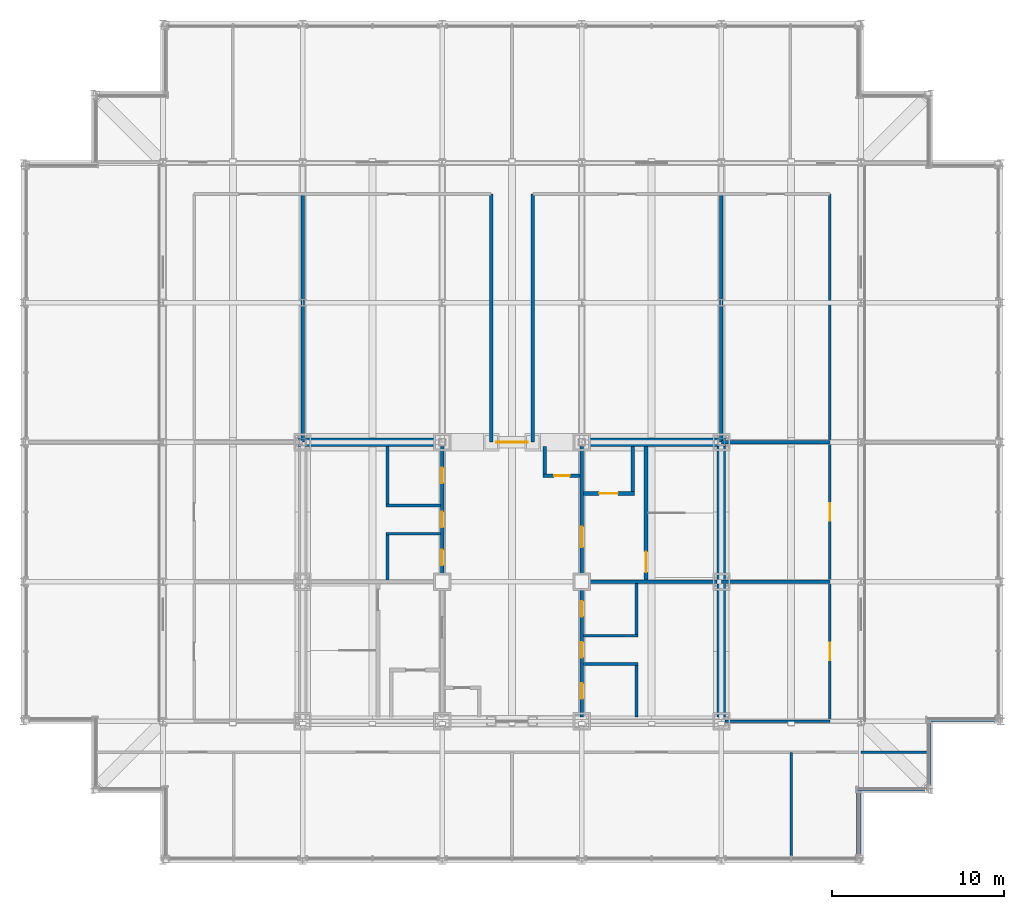
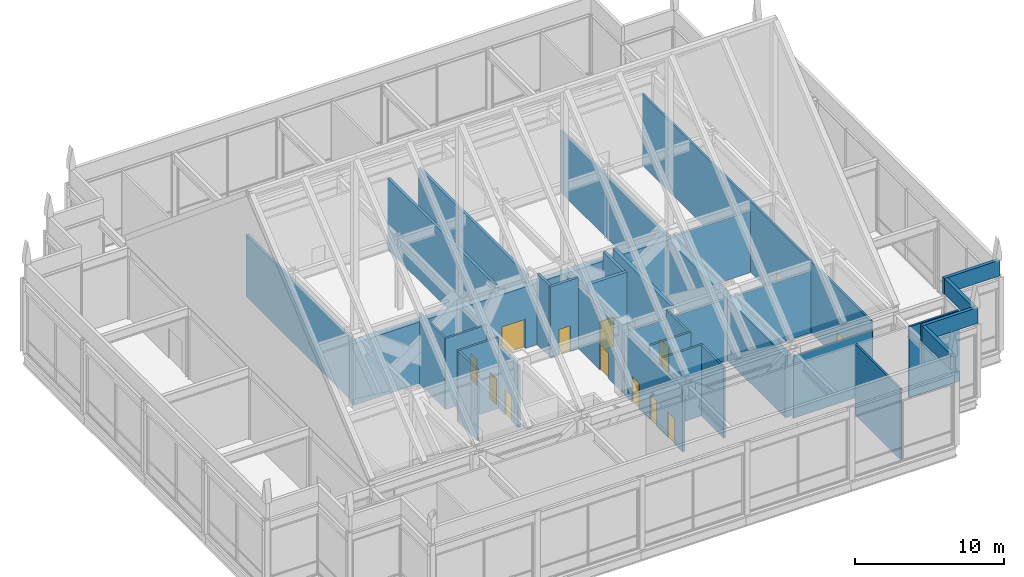
# One storey, part 20 of 22: 33 walls, 13 doors, 13 openings.
"""IFC4 building model written with IfcOpenShell, lengths in metres."""

from ifc_helpers import new_model, si_unit, direction, frame, frame_2d, origin, place, context, subcontext, project, spatial, rectangle, extrude, material, layer, layer_set, type_object, element, fill, save


model = new_model("IFC4")

# Units and contexts
model_context = context("Model", 3, precision=1e-05, world=origin(), true_north=direction((0.0, 1.0)))
body_context = subcontext(model_context, "Body", "Model", "MODEL_VIEW")
ifc_project = project(units=[si_unit("LENGTHUNIT", "METRE"), si_unit("AREAUNIT", "SQUARE_METRE"), si_unit("VOLUMEUNIT", "CUBIC_METRE"), si_unit("PLANEANGLEUNIT", "RADIAN"), si_unit("MASSUNIT", "GRAM", prefix="KILO")], contexts=[model_context])

# Site, building, storey
site_placement = place(None, origin())
site = spatial("IfcSite", under=ifc_project, at=site_placement, CompositionType="ELEMENT")
building_placement = place(site_placement, origin())
building = spatial("IfcBuilding", under=site, at=building_placement, Name="Kopane Lantern Tower", CompositionType="ELEMENT")
storey_placement = place(building_placement, frame((0.0, 0.0, 303.89990234375)))
storey = spatial("IfcBuildingStorey", under=building, at=storey_placement, Name="L77", CompositionType="ELEMENT", Elevation=303.89990234375)

# Wall, opening, door
ifc_material_1 = material(Name="Gypsum shaft wall EI 120", Category="gypsum")
ifc_layer_1 = layer(ifc_material_1, 0.5)
ifc_layer_set_1 = layer_set([ifc_layer_1], Name="CORE PERIMETER WALL 500 EI 120")
wall_type_1 = type_object("IfcWallType", Name="CORE PERIMETER WALL 500 EI 120", PredefinedType="SOLIDWALL", material=ifc_layer_set_1)
wall_1_placement = place(storey_placement, frame((15.949951171875, 40.5, 0.0), z_axis=(0.0, 0.0, 1.0), x_axis=(1.0, 0.0, 0.0)))
wall_1 = element("IfcWall", 1, at=wall_1_placement, inside=storey, type_object=wall_type_1, Name="Core shaft wall L77 PN", PredefinedType="SOLIDWALL", context=body_context, shape_type="SweptSolid", body=[
    extrude(rectangle(XDim=24.800048828125, YDim=0.5, at=frame_2d((12.39990234375, 0.0))), origin(), (0.0, 0.0, 1.0), 5.037841796875),
])
opening_1_placement = place(wall_1_placement, frame((11.5, 0.0, 0.0)))
opening_1 = element("IfcOpeningElement", 2, at=opening_1_placement, cuts=wall_1, Name="Opening 77.CE-N", PredefinedType="OPENING", context=body_context, shape_type="SweptSolid", body=[
    extrude(rectangle(XDim=1.800048828125, YDim=2.39990234375, at=frame_2d((0.89990234375, 1.199951171875))), frame((0.0, 0.260009765625, 0.0), z_axis=(0.0, -1.0, 0.0), x_axis=(1.0, 0.0, 0.0)), (0.0, 0.0, 1.0), 0.52001953125),
])
ifc_material_2 = material(Name="Steel door set", Category="steel")
door_type_1 = type_object("IfcDoorType", Name="CORE ENTRY DOOR 1800x2400 FD60S", OperationType="DOUBLE_DOOR_SINGLE_SWING", PredefinedType="DOOR", material=ifc_material_2)
door_1_placement = place(opening_1_placement, origin())
door_1 = element("IfcDoor", 3, at=door_1_placement, inside=storey, type_object=door_type_1, Name="Core entry door L77 north", OperationType="DOUBLE_DOOR_SINGLE_SWING", OverallHeight=2.39990234375, OverallWidth=1.800048828125, PredefinedType="DOOR", context=body_context, shape_type="SweptSolid", body=[
    extrude(rectangle(XDim=1.800048828125, YDim=2.39990234375, at=frame_2d((0.89990234375, 1.199951171875))), frame((0.0, 0.02490234375, 0.0), z_axis=(0.0, -1.0, 0.0), x_axis=(1.0, 0.0, 0.0)), (0.0, 0.0, 1.0), 0.050048828125),
])
fill(opening_1, door_1)

# Walls
wall_2_placement = place(storey_placement, frame((40.5, 24.550048828125, 0.0), z_axis=(0.0, 0.0, 1.0), x_axis=(0.0, 1.0, 0.0)))
element("IfcWall", 4, at=wall_2_placement, inside=storey, type_object=wall_type_1, Name="Core shaft wall L77 PE", PredefinedType="SOLIDWALL", context=body_context, shape_type="SweptSolid", body=[
    extrude(rectangle(XDim=15.699951171875, YDim=0.5, at=frame_2d((7.85009765625, 0.0))), origin(), (0.0, 0.0, 1.0), 5.037841796875),
])
ifc_material_3 = material(Name="Gypsum partition EI 60", Category="gypsum")
ifc_layer_2 = layer(ifc_material_3, 0.14990234375)
ifc_layer_set_2 = layer_set([ifc_layer_2], Name="CORE ROOM PARTITION 150 EI 60")
wall_type_2 = type_object("IfcWallType", Name="CORE ROOM PARTITION 150 EI 60", PredefinedType="PARTITIONING", material=ifc_layer_set_2)
for number, where, z_axis, x_axis, name in (
    (5, (21.050048828125, 35.175048828125, 0.0), (0.0, 0.0, 1.0), (1.0, 0.0, 0.0), "Core room partition L77 WW1"),
    (6, (21.050048828125, 36.824951171875, 0.0), (0.0, 0.0, 1.0), (1.0, 0.0, 0.0), "Core room partition L77 WW2"),
):
    element("IfcWall", number, at=place(storey_placement, frame(where, z_axis=z_axis, x_axis=x_axis)), inside=storey, type_object=wall_type_2, Name=name, PredefinedType="PARTITIONING", context=body_context, shape_type="SweptSolid", body=[
        extrude(rectangle(XDim=3.14990234375, YDim=0.14990234375, at=frame_2d((1.574951171875, 0.0))), origin(), (0.0, 0.0, 1.0), 5.800048828125),
    ])
wall_3_placement = place(storey_placement, frame((21.125, 32.5, 0.0), z_axis=(0.0, 0.0, 1.0), x_axis=(0.0, 1.0, 0.0)))
element("IfcWall", 7, at=wall_3_placement, inside=storey, type_object=wall_type_2, Name="Core room partition L77 WWB0", PredefinedType="PARTITIONING", context=body_context, shape_type="SweptSolid", body=[
    extrude(rectangle(XDim=2.60009765625, YDim=0.14990234375, at=frame_2d((1.300048828125, 0.0))), origin(), (0.0, 0.0, 1.0), 5.800048828125),
])
wall_4_placement = place(storey_placement, frame((21.125, 36.89990234375, 0.0), z_axis=(0.0, 0.0, 1.0), x_axis=(0.0, 1.0, 0.0)))
element("IfcWall", 8, at=wall_4_placement, inside=storey, type_object=wall_type_2, Name="Core room partition L77 WWB1", PredefinedType="PARTITIONING", context=body_context, shape_type="SweptSolid", body=[
    extrude(rectangle(XDim=3.35009765625, YDim=0.14990234375, at=frame_2d((1.675048828125, 0.0))), origin(), (0.0, 0.0, 1.0), 5.800048828125),
])
for number, where, z_axis, x_axis, name in (
    (9, (32.5, 27.625, 0.0), (0.0, 0.0, 1.0), (1.0, 0.0, 0.0), "Core room partition L77 EW1"),
    (10, (32.5, 29.27490234375, 0.0), (0.0, 0.0, 1.0), (1.0, 0.0, 0.0), "Core room partition L77 EW2"),
):
    element("IfcWall", number, at=place(storey_placement, frame(where, z_axis=z_axis, x_axis=x_axis)), inside=storey, type_object=wall_type_2, Name=name, PredefinedType="PARTITIONING", context=body_context, shape_type="SweptSolid", body=[
        extrude(rectangle(XDim=3.14990234375, YDim=0.14990234375, at=frame_2d((1.574951171875, 0.0))), origin(), (0.0, 0.0, 1.0), 5.800048828125),
    ])
wall_5_placement = place(storey_placement, frame((35.574951171875, 24.550048828125, 0.0), z_axis=(0.0, 0.0, 1.0), x_axis=(0.0, 1.0, 0.0)))
element("IfcWall", 11, at=wall_5_placement, inside=storey, type_object=wall_type_2, Name="Core room partition L77 EWB0", PredefinedType="PARTITIONING", context=body_context, shape_type="SweptSolid", body=[
    extrude(rectangle(XDim=3.0, YDim=0.14990234375, at=frame_2d((1.5, 0.0))), origin(), (0.0, 0.0, 1.0), 5.800048828125),
])
wall_6_placement = place(storey_placement, frame((35.574951171875, 29.35009765625, 0.0), z_axis=(0.0, 0.0, 1.0), x_axis=(0.0, 1.0, 0.0)))
element("IfcWall", 12, at=wall_6_placement, inside=storey, type_object=wall_type_2, Name="Core room partition L77 EWB1", PredefinedType="PARTITIONING", context=body_context, shape_type="SweptSolid", body=[
    extrude(rectangle(XDim=2.949951171875, YDim=0.14990234375, at=frame_2d((1.47509765625, 0.0))), origin(), (0.0, 0.0, 1.0), 5.800048828125),
])

# Wall, openings, doors
ifc_material_4 = material(Name="Gypsum partition EI 60", Category="gypsum")
ifc_layer_3 = layer(ifc_material_4, 0.199951171875)
ifc_layer_set_3 = layer_set([ifc_layer_3], Name="CORE ROOM WALL 200 EI 60")
wall_type_3 = type_object("IfcWallType", Name="CORE ROOM WALL 200 EI 60", PredefinedType="PARTITIONING", material=ifc_layer_set_3)
wall_7_placement = place(storey_placement, frame((24.300048828125, 32.5, 0.0), z_axis=(0.0, 0.0, 1.0), x_axis=(0.0, 1.0, 0.0)))
wall_7 = element("IfcWall", 13, at=wall_7_placement, inside=storey, type_object=wall_type_3, Name="Core room wall L77 XW", PredefinedType="PARTITIONING", context=body_context, shape_type="SweptSolid", body=[
    extrude(rectangle(XDim=7.75, YDim=0.199951171875, at=frame_2d((3.875, 0.0))), origin(), (0.0, 0.0, 1.0), 5.037841796875),
])
opening_2_placement = place(wall_7_placement, frame((0.85009765625, 0.0, 0.0)))
opening_2 = element("IfcOpeningElement", 14, at=opening_2_placement, cuts=wall_7, Name="Opening 77.C30", PredefinedType="OPENING", context=body_context, shape_type="SweptSolid", body=[
    extrude(rectangle(XDim=0.89990234375, YDim=2.10009765625, at=frame_2d((0.449951171875, 1.050048828125))), frame((0.0, 0.10986328125, 0.0), z_axis=(0.0, -1.0, 0.0), x_axis=(1.0, 0.0, 0.0)), (0.0, 0.0, 1.0), 0.219970703125),
])
opening_3_placement = place(wall_7_placement, frame((3.050048828125, 0.0, 0.0)))
opening_3 = element("IfcOpeningElement", 15, at=opening_3_placement, cuts=wall_7, Name="Opening 77.C31", PredefinedType="OPENING", context=body_context, shape_type="SweptSolid", body=[
    extrude(rectangle(XDim=0.89990234375, YDim=2.10009765625, at=frame_2d((0.449951171875, 1.050048828125))), frame((0.0, 0.10986328125, 0.0), z_axis=(0.0, -1.0, 0.0), x_axis=(1.0, 0.0, 0.0)), (0.0, 0.0, 1.0), 0.219970703125),
])
opening_4_placement = place(wall_7_placement, frame((5.625, 0.0, 0.0)))
opening_4 = element("IfcOpeningElement", 16, at=opening_4_placement, cuts=wall_7, Name="Opening 77.C32", PredefinedType="OPENING", context=body_context, shape_type="SweptSolid", body=[
    extrude(rectangle(XDim=0.89990234375, YDim=2.10009765625, at=frame_2d((0.449951171875, 1.050048828125))), frame((0.0, 0.10986328125, 0.0), z_axis=(0.0, -1.0, 0.0), x_axis=(1.0, 0.0, 0.0)), (0.0, 0.0, 1.0), 0.219970703125),
])
ifc_material_5 = material(Name="Steel door set", Category="steel")
door_type_2 = type_object("IfcDoorType", Name="CORE ROOM DOOR 900x2100 FD60", OperationType="SINGLE_SWING_LEFT", PredefinedType="DOOR", material=ifc_material_5)
door_2_placement = place(opening_2_placement, origin())
door_2 = element("IfcDoor", 17, at=door_2_placement, inside=storey, type_object=door_type_2, Name="Door Building management room L77", OperationType="SINGLE_SWING_LEFT", OverallHeight=2.10009765625, OverallWidth=0.89990234375, PredefinedType="DOOR", context=body_context, shape_type="SweptSolid", body=[
    extrude(rectangle(XDim=0.89990234375, YDim=2.10009765625, at=frame_2d((0.449951171875, 1.050048828125))), frame((0.0, 0.02490234375, 0.0), z_axis=(0.0, -1.0, 0.0), x_axis=(1.0, 0.0, 0.0)), (0.0, 0.0, 1.0), 0.050048828125),
])
fill(opening_2, door_2)
door_3_placement = place(opening_3_placement, origin())
door_3 = element("IfcDoor", 18, at=door_3_placement, inside=storey, type_object=door_type_2, Name="Door Mechanical plant room L77", OperationType="SINGLE_SWING_RIGHT", OverallHeight=2.10009765625, OverallWidth=0.89990234375, PredefinedType="DOOR", context=body_context, shape_type="SweptSolid", body=[
    extrude(rectangle(XDim=0.89990234375, YDim=2.10009765625, at=frame_2d((0.449951171875, 1.050048828125))), frame((0.0, 0.02490234375, 0.0), z_axis=(0.0, -1.0, 0.0), x_axis=(1.0, 0.0, 0.0)), (0.0, 0.0, 1.0), 0.050048828125),
])
fill(opening_3, door_3)
door_4_placement = place(opening_4_placement, origin())
door_4 = element("IfcDoor", 19, at=door_4_placement, inside=storey, type_object=door_type_2, Name="Door Plant store L77", OperationType="SINGLE_SWING_LEFT", OverallHeight=2.10009765625, OverallWidth=0.89990234375, PredefinedType="DOOR", context=body_context, shape_type="SweptSolid", body=[
    extrude(rectangle(XDim=0.89990234375, YDim=2.10009765625, at=frame_2d((0.449951171875, 1.050048828125))), frame((0.0, 0.02490234375, 0.0), z_axis=(0.0, -1.0, 0.0), x_axis=(1.0, 0.0, 0.0)), (0.0, 0.0, 1.0), 0.050048828125),
])
fill(opening_4, door_4)

wall_8_placement = place(storey_placement, frame((32.39990234375, 24.550048828125, 0.0), z_axis=(0.0, 0.0, 1.0), x_axis=(0.0, 1.0, 0.0)))
wall_8 = element("IfcWall", 20, at=wall_8_placement, inside=storey, type_object=wall_type_3, Name="Core room wall L77 XE", PredefinedType="PARTITIONING", context=body_context, shape_type="SweptSolid", body=[
    extrude(rectangle(XDim=7.75, YDim=0.199951171875, at=frame_2d((3.875, 0.0))), origin(), (0.0, 0.0, 1.0), 5.037841796875),
])
opening_5_placement = place(wall_8_placement, frame((1.050048828125, 0.0, 0.0)))
opening_5 = element("IfcOpeningElement", 21, at=opening_5_placement, cuts=wall_8, Name="Opening 77.C20", PredefinedType="OPENING", context=body_context, shape_type="SweptSolid", body=[
    extrude(rectangle(XDim=0.89990234375, YDim=2.10009765625, at=frame_2d((0.449951171875, 1.050048828125))), frame((0.0, 0.10986328125, 0.0), z_axis=(0.0, -1.0, 0.0), x_axis=(1.0, 0.0, 0.0)), (0.0, 0.0, 1.0), 0.219970703125),
])
opening_6_placement = place(wall_8_placement, frame((3.449951171875, 0.0, 0.0)))
opening_6 = element("IfcOpeningElement", 22, at=opening_6_placement, cuts=wall_8, Name="Opening 77.C21", PredefinedType="OPENING", context=body_context, shape_type="SweptSolid", body=[
    extrude(rectangle(XDim=0.89990234375, YDim=2.10009765625, at=frame_2d((0.449951171875, 1.050048828125))), frame((0.0, 0.10986328125, 0.0), z_axis=(0.0, -1.0, 0.0), x_axis=(1.0, 0.0, 0.0)), (0.0, 0.0, 1.0), 0.219970703125),
])
opening_7_placement = place(wall_8_placement, frame((5.824951171875, 0.0, 0.0)))
opening_7 = element("IfcOpeningElement", 23, at=opening_7_placement, cuts=wall_8, Name="Opening 77.C22", PredefinedType="OPENING", context=body_context, shape_type="SweptSolid", body=[
    extrude(rectangle(XDim=0.89990234375, YDim=2.10009765625, at=frame_2d((0.449951171875, 1.050048828125))), frame((0.0, 0.10986328125, 0.0), z_axis=(0.0, -1.0, 0.0), x_axis=(1.0, 0.0, 0.0)), (0.0, 0.0, 1.0), 0.219970703125),
])
door_5_placement = place(opening_5_placement, origin())
door_5 = element("IfcDoor", 24, at=door_5_placement, inside=storey, type_object=door_type_2, Name="Door Electrical room L77", OperationType="SINGLE_SWING_LEFT", OverallHeight=2.10009765625, OverallWidth=0.89990234375, PredefinedType="DOOR", context=body_context, shape_type="SweptSolid", body=[
    extrude(rectangle(XDim=0.89990234375, YDim=2.10009765625, at=frame_2d((0.449951171875, 1.050048828125))), frame((0.0, 0.02490234375, 0.0), z_axis=(0.0, -1.0, 0.0), x_axis=(1.0, 0.0, 0.0)), (0.0, 0.0, 1.0), 0.050048828125),
])
fill(opening_5, door_5)
door_6_placement = place(opening_6_placement, origin())
door_6 = element("IfcDoor", 25, at=door_6_placement, inside=storey, type_object=door_type_2, Name="Door Mechanical plant room L77", OperationType="SINGLE_SWING_LEFT", OverallHeight=2.10009765625, OverallWidth=0.89990234375, PredefinedType="DOOR", context=body_context, shape_type="SweptSolid", body=[
    extrude(rectangle(XDim=0.89990234375, YDim=2.10009765625, at=frame_2d((0.449951171875, 1.050048828125))), frame((0.0, 0.02490234375, 0.0), z_axis=(0.0, -1.0, 0.0), x_axis=(1.0, 0.0, 0.0)), (0.0, 0.0, 1.0), 0.050048828125),
])
fill(opening_6, door_6)
door_7_placement = place(opening_7_placement, origin())
door_7 = element("IfcDoor", 26, at=door_7_placement, inside=storey, type_object=door_type_2, Name="Door Spare parts store L77", OperationType="SINGLE_SWING_RIGHT", OverallHeight=2.10009765625, OverallWidth=0.89990234375, PredefinedType="DOOR", context=body_context, shape_type="SweptSolid", body=[
    extrude(rectangle(XDim=0.89990234375, YDim=2.10009765625, at=frame_2d((0.449951171875, 1.050048828125))), frame((0.0, 0.02490234375, 0.0), z_axis=(0.0, -1.0, 0.0), x_axis=(1.0, 0.0, 0.0)), (0.0, 0.0, 1.0), 0.050048828125),
])
fill(opening_7, door_7)

# Wall, opening, door
ifc_material_6 = material(Name="Gypsum shaft wall EI 120", Category="gypsum")
ifc_layer_4 = layer(ifc_material_6, 0.25)
ifc_layer_set_4 = layer_set([ifc_layer_4], Name="CORE SHAFT WALL 250 EI 120")
wall_type_4 = type_object("IfcWallType", Name="CORE SHAFT WALL 250 EI 120", PredefinedType="SOLIDWALL", material=ifc_layer_set_4)
wall_9_placement = place(storey_placement, frame((36.125, 32.5, 0.0), z_axis=(0.0, 0.0, 1.0), x_axis=(0.0, 1.0, 0.0)))
wall_9 = element("IfcWall", 27, at=wall_9_placement, inside=storey, type_object=wall_type_4, Name="Core shaft wall L77 XST2", PredefinedType="SOLIDWALL", context=body_context, shape_type="SweptSolid", body=[
    extrude(rectangle(XDim=7.75, YDim=0.25, at=frame_2d((3.875, 0.0))), origin(), (0.0, 0.0, 1.0), 5.800048828125),
])
opening_8_placement = place(wall_9_placement, frame((0.449951171875, 0.0, 0.0)))
opening_8 = element("IfcOpeningElement", 28, at=opening_8_placement, cuts=wall_9, Name="Opening 77.SD2", PredefinedType="OPENING", context=body_context, shape_type="SweptSolid", body=[
    extrude(rectangle(XDim=1.199951171875, YDim=2.10009765625, at=frame_2d((0.60009765625, 1.050048828125))), frame((0.0, 0.135009765625, 0.0), z_axis=(0.0, -1.0, 0.0), x_axis=(1.0, 0.0, 0.0)), (0.0, 0.0, 1.0), 0.27001953125),
])
ifc_material_7 = material(Name="Steel door set", Category="steel")
door_type_3 = type_object("IfcDoorType", Name="STAIR DOOR 1200x2100 FD60S", OperationType="SINGLE_SWING_LEFT", PredefinedType="DOOR", material=ifc_material_7)
door_8_placement = place(opening_8_placement, origin())
door_8 = element("IfcDoor", 29, at=door_8_placement, inside=storey, type_object=door_type_3, Name="Stair door ST2 L77", OperationType="SINGLE_SWING_RIGHT", OverallHeight=2.10009765625, OverallWidth=1.199951171875, PredefinedType="DOOR", context=body_context, shape_type="SweptSolid", body=[
    extrude(rectangle(XDim=1.199951171875, YDim=2.10009765625, at=frame_2d((0.60009765625, 1.050048828125))), frame((0.0, 0.02490234375, 0.0), z_axis=(0.0, -1.0, 0.0), x_axis=(1.0, 0.0, 0.0)), (0.0, 0.0, 1.0), 0.050048828125),
])
fill(opening_8, door_8)

wall_10_placement = place(storey_placement, frame((32.5, 37.52490234375, 0.0), z_axis=(0.0, 0.0, 1.0), x_axis=(1.0, 0.0, 0.0)))
wall_10 = element("IfcWall", 30, at=wall_10_placement, inside=storey, type_object=wall_type_4, Name="Core shaft wall L77 YLF2", PredefinedType="SOLIDWALL", context=body_context, shape_type="SweptSolid", body=[
    extrude(rectangle(XDim=2.949951171875, YDim=0.25, at=frame_2d((1.47509765625, 0.0))), origin(), (0.0, 0.0, 1.0), 5.800048828125),
])
opening_9_placement = place(wall_10_placement, frame((0.89990234375, 0.0, 0.0)))
opening_9 = element("IfcOpeningElement", 31, at=opening_9_placement, cuts=wall_10, Name="Opening 77.LD-LF2", PredefinedType="OPENING", context=body_context, shape_type="SweptSolid", body=[
    extrude(rectangle(XDim=1.10009765625, YDim=2.39990234375, at=frame_2d((0.550048828125, 1.199951171875))), frame((0.0, 0.135009765625, 0.0), z_axis=(0.0, -1.0, 0.0), x_axis=(1.0, 0.0, 0.0)), (0.0, 0.0, 1.0), 0.27001953125),
])
ifc_material_8 = material(Name="Steel door set", Category="steel")
door_type_4 = type_object("IfcDoorType", Name="LIFT LANDING DOOR 1100x2400 FD60", OperationType="DOUBLE_DOOR_SLIDING", PredefinedType="DOOR", material=ifc_material_8)
door_9_placement = place(opening_9_placement, origin())
door_9 = element("IfcDoor", 32, at=door_9_placement, inside=storey, type_object=door_type_4, Name="Landing door LF2 L77", OperationType="DOUBLE_DOOR_SLIDING", OverallHeight=2.39990234375, OverallWidth=1.10009765625, PredefinedType="DOOR", context=body_context, shape_type="SweptSolid", body=[
    extrude(rectangle(XDim=1.10009765625, YDim=2.39990234375, at=frame_2d((0.550048828125, 1.199951171875))), frame((0.0, 0.02490234375, 0.0), z_axis=(0.0, -1.0, 0.0), x_axis=(1.0, 0.0, 0.0)), (0.0, 0.0, 1.0), 0.050048828125),
])
fill(opening_9, door_9)

# Wall, openings, doors
ifc_material_9 = material(Name="Gypsum board on steel studs", Category="steel")
ifc_layer_5 = layer(ifc_material_9, 0.14990234375)
ifc_layer_set_5 = layer_set([ifc_layer_5], Name="CORRIDOR WALL 150 EI 60")
wall_type_5 = type_object("IfcWallType", Name="CORRIDOR WALL 150 EI 60", PredefinedType="PARTITIONING", material=ifc_layer_set_5)
wall_11_placement = place(storey_placement, frame((46.800048828125, 24.300048828125, 0.0), z_axis=(0.0, 0.0, 1.0), x_axis=(0.0, 1.0, 0.0)))
wall_11 = element("IfcWall", 33, at=wall_11_placement, inside=storey, type_object=wall_type_5, Name="Corridor Wall 150 Ei 60 L77", PredefinedType="PARTITIONING", context=body_context, shape_type="SweptSolid", body=[
    extrude(rectangle(XDim=30.599853515625, YDim=0.14990234375, at=frame_2d((15.2998046875, 0.0))), origin(), (0.0, 0.0, 1.0), 5.800048828125),
])
opening_10_placement = place(wall_11_placement, frame((3.550048828125, 0.0, 0.0)))
opening_10 = element("IfcOpeningElement", 34, at=opening_10_placement, cuts=wall_11, Name="Opening L77-003", PredefinedType="OPENING", context=body_context, shape_type="SweptSolid", body=[
    extrude(rectangle(XDim=1.0, YDim=2.10009765625, at=frame_2d((0.5, 1.050048828125))), frame((0.0, 0.0849609375, 0.0), z_axis=(0.0, -1.0, 0.0), x_axis=(1.0, 0.0, 0.0)), (0.0, 0.0, 1.0), 0.169921875),
])
opening_11_placement = place(wall_11_placement, frame((11.64990234375, 0.0, 0.0)))
opening_11 = element("IfcOpeningElement", 35, at=opening_11_placement, cuts=wall_11, Name="Opening L77-004", PredefinedType="OPENING", context=body_context, shape_type="SweptSolid", body=[
    extrude(rectangle(XDim=1.0, YDim=2.10009765625, at=frame_2d((0.5, 1.050048828125))), frame((0.0, 0.0849609375, 0.0), z_axis=(0.0, -1.0, 0.0), x_axis=(1.0, 0.0, 0.0)), (0.0, 0.0, 1.0), 0.169921875),
])
ifc_material_10 = material(Name="Steel door set", Category="steel")
door_type_5 = type_object("IfcDoorType", Name="DOOR D5 1000x2100 FD60", OperationType="SINGLE_SWING_LEFT", PredefinedType="DOOR", material=ifc_material_10)
door_10_placement = place(opening_10_placement, origin())
door_10 = element("IfcDoor", 36, at=door_10_placement, inside=storey, type_object=door_type_5, Name="Door L77-003", OperationType="SINGLE_SWING_LEFT", OverallHeight=2.10009765625, OverallWidth=1.0, PredefinedType="DOOR", context=body_context, shape_type="SweptSolid", body=[
    extrude(rectangle(XDim=1.0, YDim=2.10009765625, at=frame_2d((0.5, 1.050048828125))), frame((0.0, 0.02490234375, 0.0), z_axis=(0.0, -1.0, 0.0), x_axis=(1.0, 0.0, 0.0)), (0.0, 0.0, 1.0), 0.050048828125),
])
fill(opening_10, door_10)
door_11_placement = place(opening_11_placement, origin())
door_11 = element("IfcDoor", 37, at=door_11_placement, inside=storey, type_object=door_type_5, Name="Door L77-004", OperationType="SINGLE_SWING_RIGHT", OverallHeight=2.10009765625, OverallWidth=1.0, PredefinedType="DOOR", context=body_context, shape_type="SweptSolid", body=[
    extrude(rectangle(XDim=1.0, YDim=2.10009765625, at=frame_2d((0.5, 1.050048828125))), frame((0.0, 0.02490234375, 0.0), z_axis=(0.0, -1.0, 0.0), x_axis=(1.0, 0.0, 0.0)), (0.0, 0.0, 1.0), 0.050048828125),
])
fill(opening_11, door_11)

# Walls
wall_12_placement = place(storey_placement, frame((40.699951171875, 24.300048828125, 0.0), z_axis=(0.0, 0.0, 1.0), x_axis=(1.0, 0.0, 0.0)))
element("IfcWall", 38, at=wall_12_placement, inside=storey, type_object=wall_type_5, Name="Corridor Wall 150 Ei 60 L77", PredefinedType="PARTITIONING", context=body_context, shape_type="SweptSolid", body=[
    extrude(rectangle(XDim=6.10009765625, YDim=0.14990234375, at=frame_2d((3.050048828125, 0.0))), origin(), (0.0, 0.0, 1.0), 5.037841796875),
])
ifc_material_11 = material(Name="Gypsum board on steel studs", Category="steel")
ifc_layer_6 = layer(ifc_material_11, 0.14990234375)
ifc_layer_set_6 = layer_set([ifc_layer_6], Name="DEMISING WALL 150 EI 60")
wall_type_6 = type_object("IfcWallType", Name="DEMISING WALL 150 EI 60", PredefinedType="PARTITIONING", material=ifc_layer_set_6)
wall_13_placement = place(storey_placement, frame((48.60009765625, 22.5, 0.0), z_axis=(0.0, 0.0, 1.0), x_axis=(1.0, 0.0, 0.0)))
element("IfcWall", 39, at=wall_13_placement, inside=storey, type_object=wall_type_6, Name="Demising Wall 150 Ei 60 L77", PredefinedType="PARTITIONING", context=body_context, shape_type="SweptSolid", body=[
    extrude(rectangle(XDim=3.876953125, YDim=0.14990234375, at=frame_2d((1.9384765625, 0.0))), origin(), (0.0, 0.0, 1.0), 5.800048828125),
])
wall_14_placement = place(storey_placement, frame((44.550048828125, 22.5, 0.0), z_axis=(0.0, 0.0, 1.0), x_axis=(0.0, -1.0, 0.0)))
element("IfcWall", 40, at=wall_14_placement, inside=storey, type_object=wall_type_6, Name="Demising Wall 150 Ei 60 L77", PredefinedType="PARTITIONING", context=body_context, shape_type="SweptSolid", body=[
    extrude(rectangle(XDim=6.007080078125, YDim=0.14990234375, at=frame_2d((3.00341796875, 0.0))), origin(), (0.0, 0.0, 1.0), 5.800048828125),
])
ifc_material_12 = material(Name="Terracotta rainscreen on light steel framing", Category="masonry")
ifc_layer_7 = layer(ifc_material_12, 0.25)
ifc_layer_set_7 = layer_set([ifc_layer_7], Name="PARAPET PW1 250 TERRACOTTA")
wall_type_7 = type_object("IfcWallType", Name="PARAPET PW1 250 TERRACOTTA", PredefinedType="PARAPET", material=ifc_layer_set_7)
wall_15_placement = place(storey_placement, frame((48.47509765625, 16.449951171875, 6.0), z_axis=(0.0, 0.0, 1.0), x_axis=(0.0, 1.0, 0.0)))
element("IfcWall", 41, at=wall_15_placement, inside=storey, type_object=wall_type_7, Name="Parapet L77", PredefinedType="PARAPET", context=body_context, shape_type="SweptSolid", body=[
    extrude(rectangle(XDim=3.800048828125, YDim=0.25, at=frame_2d((1.89990234375, 0.0))), origin(), (0.0, 0.0, 1.0), 1.28515625),
])
wall_16_placement = place(storey_placement, frame((48.35009765625, 20.375, 6.0), z_axis=(0.0, 0.0, 1.0), x_axis=(1.0, 0.0, 0.0)))
element("IfcWall", 42, at=wall_16_placement, inside=storey, type_object=wall_type_7, Name="Parapet L77", PredefinedType="PARAPET", context=body_context, shape_type="SweptSolid", body=[
    extrude(rectangle(XDim=4.2998046875, YDim=0.25, at=frame_2d((2.14990234375, 0.0))), origin(), (0.0, 0.0, 1.0), 1.28515625),
])
wall_17_placement = place(storey_placement, frame((52.52490234375, 20.5, 6.0), z_axis=(0.0, 0.0, 1.0), x_axis=(0.0, 1.0, 0.0)))
element("IfcWall", 43, at=wall_17_placement, inside=storey, type_object=wall_type_7, Name="Parapet L77", PredefinedType="PARAPET", context=body_context, shape_type="SweptSolid", body=[
    extrude(rectangle(XDim=3.800048828125, YDim=0.25, at=frame_2d((1.89990234375, 0.0))), origin(), (0.0, 0.0, 1.0), 1.28515625),
])
wall_18_placement = place(storey_placement, frame((52.39990234375, 24.425048828125, 6.0), z_axis=(0.0, 0.0, 1.0), x_axis=(1.0, 0.0, 0.0)))
element("IfcWall", 44, at=wall_18_placement, inside=storey, type_object=wall_type_7, Name="Parapet L77", PredefinedType="PARAPET", context=body_context, shape_type="SweptSolid", body=[
    extrude(rectangle(XDim=4.300048828125, YDim=0.25, at=frame_2d((2.14990234375, 0.0))), origin(), (0.0, 0.0, 1.0), 1.28515625),
])
ifc_material_13 = material(Name="Concrete masonry", Category="masonry")
ifc_layer_8 = layer(ifc_material_13, 0.199951171875)
ifc_layer_set_8 = layer_set([ifc_layer_8], Name="PLANT ROOM WALL 200 EI 120")
wall_type_8 = type_object("IfcWallType", Name="PLANT ROOM WALL 200 EI 120", PredefinedType="SOLIDWALL", material=ifc_layer_set_8)
wall_19_placement = place(storey_placement, frame((40.5, 32.39990234375, 0.0), z_axis=(0.0, 0.0, 1.0), x_axis=(1.0, 0.0, 0.0)))
element("IfcWall", 45, at=wall_19_placement, inside=storey, type_object=wall_type_8, Name="Plant Room Wall 200 Ei 120 L77", PredefinedType="SOLIDWALL", context=body_context, shape_type="SweptSolid", body=[
    extrude(rectangle(XDim=6.300048828125, YDim=0.199951171875, at=frame_2d((3.14990234375, 0.0))), origin(), (0.0, 0.0, 1.0), 5.037841796875),
])
for number, where, z_axis, x_axis, name in (
    (46, (16.199951171875, 40.5, 0.0), (0.0, 0.0, 1.0), (0.0, 1.0, 0.0), "Plant Room Wall 200 Ei 120 L77"),
    (47, (40.5, 40.5, 0.0), (0.0, 0.0, 1.0), (0.0, 1.0, 0.0), "Plant Room Wall 200 Ei 120 L77"),
):
    element("IfcWall", number, at=place(storey_placement, frame(where, z_axis=z_axis, x_axis=x_axis)), inside=storey, type_object=wall_type_8, Name=name, PredefinedType="SOLIDWALL", context=body_context, shape_type="SweptSolid", body=[
        extrude(rectangle(XDim=14.39990234375, YDim=0.199951171875, at=frame_2d((7.199951171875, 0.0))), origin(), (0.0, 0.0, 1.0), 5.037841796875),
    ])
for number, where, z_axis, x_axis, name in (
    (48, (27.14990234375, 40.5, 0.0), (0.0, 0.0, 1.0), (0.0, 1.0, 0.0), "Plant Room Wall 200 Ei 120 L77"),
    (49, (29.550048828125, 40.5, 0.0), (0.0, 0.0, 1.0), (0.0, 1.0, 0.0), "Plant Room Wall 200 Ei 120 L77"),
):
    element("IfcWall", number, at=place(storey_placement, frame(where, z_axis=z_axis, x_axis=x_axis)), inside=storey, type_object=wall_type_8, Name=name, PredefinedType="SOLIDWALL", context=body_context, shape_type="SweptSolid", body=[
        extrude(rectangle(XDim=14.39990234375, YDim=0.199951171875, at=frame_2d((7.199951171875, 0.0))), origin(), (0.0, 0.0, 1.0), 5.800048828125),
    ])
wall_20_placement = place(storey_placement, frame((40.5, 40.5, 0.0), z_axis=(0.0, 0.0, 1.0), x_axis=(1.0, 0.0, 0.0)))
element("IfcWall", 50, at=wall_20_placement, inside=storey, type_object=wall_type_8, Name="Plant Room Wall 200 Ei 120 L77", PredefinedType="SOLIDWALL", context=body_context, shape_type="SweptSolid", body=[
    extrude(rectangle(XDim=6.300048828125, YDim=0.199951171875, at=frame_2d((3.14990234375, 0.0))), origin(), (0.0, 0.0, 1.0), 5.037841796875),
])
ifc_material_14 = material(Name="Gypsum shaft wall EI 120", Category="gypsum")
ifc_layer_9 = layer(ifc_material_14, 0.199951171875)
ifc_layer_set_9 = layer_set([ifc_layer_9], Name="SHAFT WALL 200 EI 120")
wall_type_9 = type_object("IfcWallType", Name="SHAFT WALL 200 EI 120", PredefinedType="SOLIDWALL", material=ifc_layer_set_9)
wall_21_placement = place(storey_placement, frame((32.300048828125, 32.39990234375, 0.0), z_axis=(0.0, 0.0, 1.0), x_axis=(1.0, 0.0, 0.0)))
element("IfcWall", 51, at=wall_21_placement, inside=storey, type_object=wall_type_9, Name="Core shaft wall L77 Y324E", PredefinedType="SOLIDWALL", context=body_context, shape_type="SweptSolid", body=[
    extrude(rectangle(XDim=7.949951171875, YDim=0.199951171875, at=frame_2d((3.97509765625, 0.0))), origin(), (0.0, 0.0, 1.0), 5.037841796875),
])

# Wall, opening, door
wall_22_placement = place(storey_placement, frame((32.39990234375, 32.5, 0.0), z_axis=(0.0, 0.0, 1.0), x_axis=(0.0, 1.0, 0.0)))
wall_22 = element("IfcWall", 52, at=wall_22_placement, inside=storey, type_object=wall_type_9, Name="Core shaft wall L77 X324", PredefinedType="SOLIDWALL", context=body_context, shape_type="SweptSolid", body=[
    extrude(rectangle(XDim=7.75, YDim=0.199951171875, at=frame_2d((3.875, 0.0))), origin(), (0.0, 0.0, 1.0), 5.037841796875),
])
opening_12_placement = place(wall_22_placement, frame((1.89990234375, 0.0, 0.0)))
opening_12 = element("IfcOpeningElement", 53, at=opening_12_placement, cuts=wall_22, Name="Opening 77.FL2", PredefinedType="OPENING", context=body_context, shape_type="SweptSolid", body=[
    extrude(rectangle(XDim=1.199951171875, YDim=2.10009765625, at=frame_2d((0.60009765625, 1.050048828125))), frame((0.0, 0.10986328125, 0.0), z_axis=(0.0, -1.0, 0.0), x_axis=(1.0, 0.0, 0.0)), (0.0, 0.0, 1.0), 0.219970703125),
])
ifc_material_15 = material(Name="Steel door set", Category="steel")
door_type_6 = type_object("IfcDoorType", Name="FIREFIGHTING LOBBY DOOR 1200x2100 FD60S", OperationType="SINGLE_SWING_RIGHT", PredefinedType="DOOR", material=ifc_material_15)
door_12_placement = place(opening_12_placement, origin())
door_12 = element("IfcDoor", 54, at=door_12_placement, inside=storey, type_object=door_type_6, Name="Firefighting lobby door FL2 L77", OperationType="SINGLE_SWING_LEFT", OverallHeight=2.10009765625, OverallWidth=1.199951171875, PredefinedType="DOOR", context=body_context, shape_type="SweptSolid", body=[
    extrude(rectangle(XDim=1.199951171875, YDim=2.10009765625, at=frame_2d((0.60009765625, 1.050048828125))), frame((0.0, 0.02490234375, 0.0), z_axis=(0.0, -1.0, 0.0), x_axis=(1.0, 0.0, 0.0)), (0.0, 0.0, 1.0), 0.050048828125),
])
fill(opening_12, door_12)

# Walls
wall_23_placement = place(storey_placement, frame((35.35009765625, 37.64990234375, 0.0), z_axis=(0.0, 0.0, 1.0), x_axis=(0.0, 1.0, 0.0)))
element("IfcWall", 55, at=wall_23_placement, inside=storey, type_object=wall_type_9, Name="Core shaft wall L77 XLF2", PredefinedType="SOLIDWALL", context=body_context, shape_type="SweptSolid", body=[
    extrude(rectangle(XDim=2.60009765625, YDim=0.199951171875, at=frame_2d((1.300048828125, 0.0))), origin(), (0.0, 0.0, 1.0), 5.800048828125),
])
wall_24_placement = place(storey_placement, frame((30.25, 38.64990234375, 0.0), z_axis=(0.0, 0.0, 1.0), x_axis=(0.0, 1.0, 0.0)))
element("IfcWall", 56, at=wall_24_placement, inside=storey, type_object=wall_type_9, Name="Core shaft wall L77 XRS2", PredefinedType="SOLIDWALL", context=body_context, shape_type="SweptSolid", body=[
    extrude(rectangle(XDim=1.60009765625, YDim=0.199951171875, at=frame_2d((0.800048828125, 0.0))), origin(), (0.0, 0.0, 1.0), 5.800048828125),
])

# Wall, opening, door
wall_25_placement = place(storey_placement, frame((30.14990234375, 38.550048828125, 0.0), z_axis=(0.0, 0.0, 1.0), x_axis=(1.0, 0.0, 0.0)))
wall_25 = element("IfcWall", 57, at=wall_25_placement, inside=storey, type_object=wall_type_9, Name="Core shaft wall L77 YRS2", PredefinedType="SOLIDWALL", context=body_context, shape_type="SweptSolid", body=[
    extrude(rectangle(XDim=2.150146484375, YDim=0.199951171875, at=frame_2d((1.0751953125, 0.0))), origin(), (0.0, 0.0, 1.0), 5.800048828125),
])
opening_13_placement = place(wall_25_placement, frame((0.64990234375, 0.0, 0.0)))
opening_13 = element("IfcOpeningElement", 58, at=opening_13_placement, cuts=wall_25, Name="Opening 77.RS2", PredefinedType="OPENING", context=body_context, shape_type="SweptSolid", body=[
    extrude(rectangle(XDim=0.89990234375, YDim=2.10009765625, at=frame_2d((0.449951171875, 1.050048828125))), frame((0.0, 0.10986328125, 0.0), z_axis=(0.0, -1.0, 0.0), x_axis=(1.0, 0.0, 0.0)), (0.0, 0.0, 1.0), 0.219970703125),
])
ifc_material_16 = material(Name="Steel door set", Category="steel")
door_type_7 = type_object("IfcDoorType", Name="RISER ACCESS DOOR 900x2100 FD60", OperationType="SINGLE_SWING_LEFT", PredefinedType="DOOR", material=ifc_material_16)
door_13_placement = place(opening_13_placement, origin())
door_13 = element("IfcDoor", 59, at=door_13_placement, inside=storey, type_object=door_type_7, Name="Riser access door RS2 L77", OperationType="SINGLE_SWING_LEFT", OverallHeight=2.10009765625, OverallWidth=0.89990234375, PredefinedType="DOOR", context=body_context, shape_type="SweptSolid", body=[
    extrude(rectangle(XDim=0.89990234375, YDim=2.10009765625, at=frame_2d((0.449951171875, 1.050048828125))), frame((0.0, 0.02490234375, 0.0), z_axis=(0.0, -1.0, 0.0), x_axis=(1.0, 0.0, 0.0)), (0.0, 0.0, 1.0), 0.050048828125),
])
fill(opening_13, door_13)

save(model, "model.ifc")
